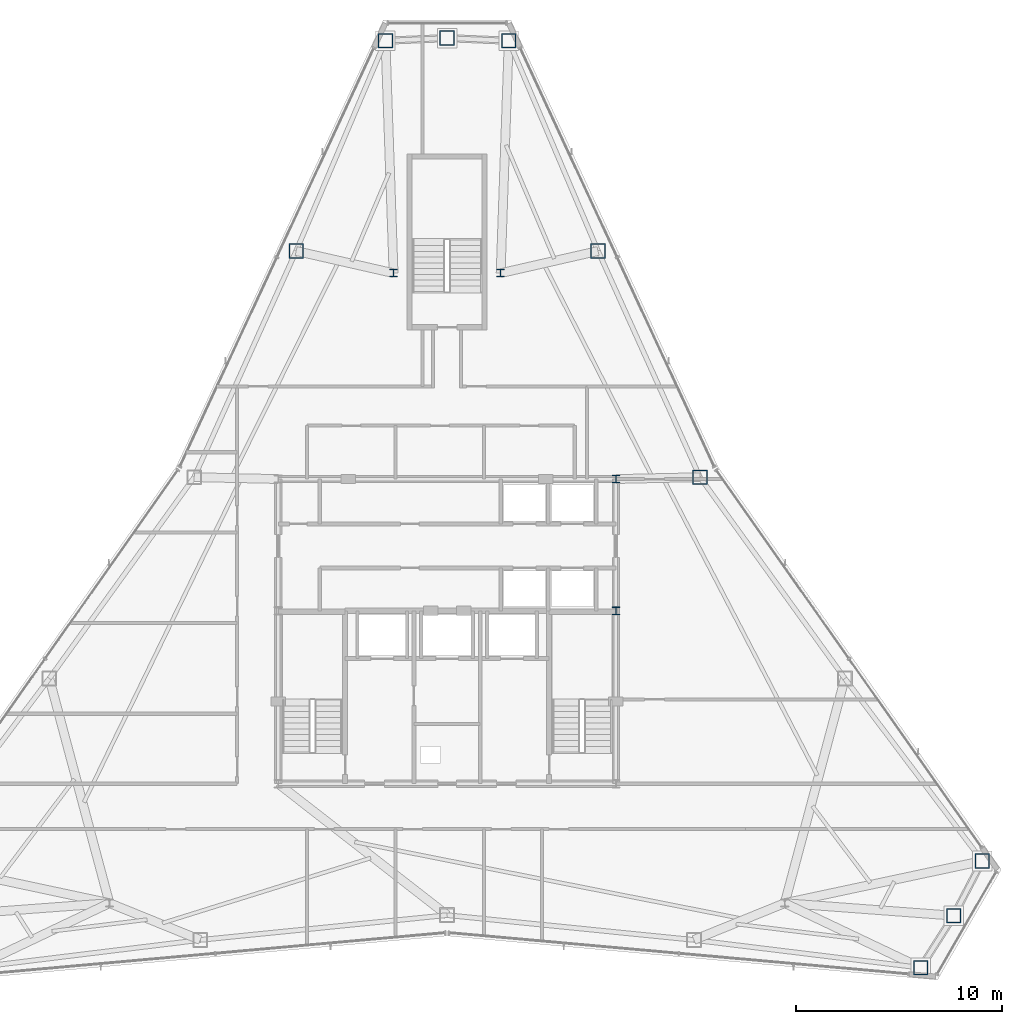
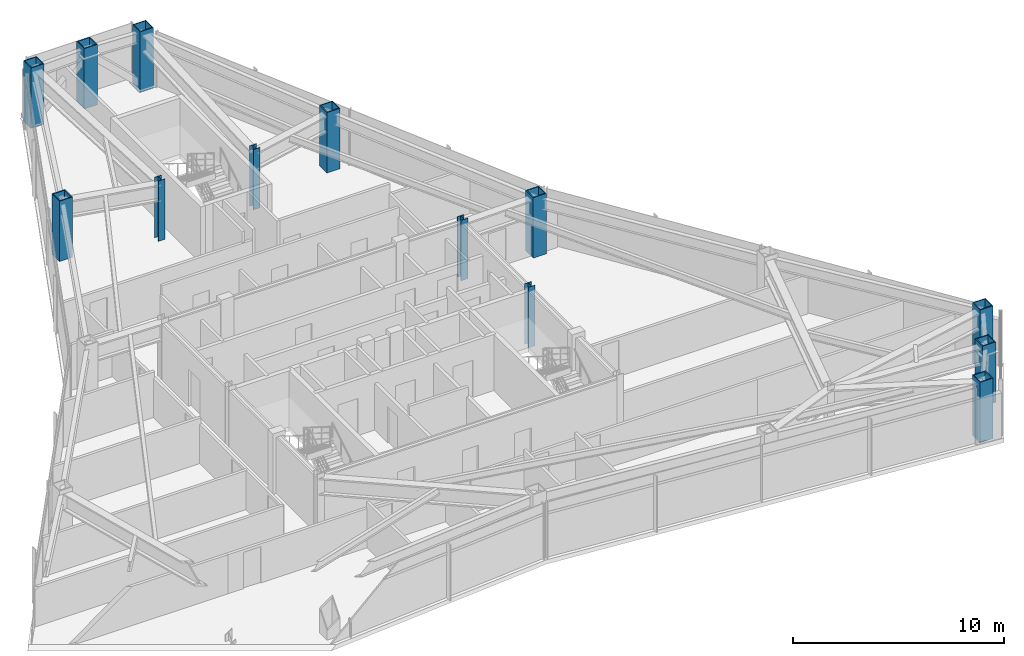
# One storey, part 2 of 12: 13 columns.
"""IFC4 building model written with IfcOpenShell, lengths in metres."""

import ifcopenshell
import ifcopenshell.guid

model = None  # the IFC model being written
_history = None  # IfcOwnerHistory: only IFC2X3 demands one
_inside = {}  # id of a spatial element -> (the spatial element, [elements in it])
_under = {}  # id of a project, library or spatial element -> (it, [spatial elements below it])
_declared = {}  # id of a project -> (the project, [libraries it declares])
_typed = {}  # id of a type object -> (the type object, [elements of that type])
_made_of = {}  # id of a material, layer set ... -> (it, [elements and type objects made of it])


def new_model(schema):
    """Start an empty IFC model of exactly this schema.

    Asked for "IFC4X3", IfcOpenShell would pick the latest addendum, in which some entities
    have other attributes; the version numbers below select the first issue.
    IFC2X3 requires an IfcOwnerHistory on every rooted entity: one is made here for all.
    """
    global model, _history
    if schema == "IFC4X3":
        model = ifcopenshell.file(schema_version=(4, 3, 0, 0))
    else:
        model = ifcopenshell.file(schema=schema)
    _inside.clear()
    _under.clear()
    _declared.clear()
    _typed.clear()
    _made_of.clear()
    _history = None
    if model.schema == "IFC2X3":
        org = make("IfcOrganization", Name="unknown")
        user = make(
            "IfcPersonAndOrganization",
            ThePerson=make("IfcPerson", FamilyName="unknown"),
            TheOrganization=org,
        )
        app = make(
            "IfcApplication",
            ApplicationDeveloper=org,
            Version="unknown",
            ApplicationFullName="unknown",
            ApplicationIdentifier="unknown",
        )
        _history = make(
            "IfcOwnerHistory",
            OwningUser=user,
            OwningApplication=app,
            ChangeAction="ADDED",
            CreationDate=0,
        )
    return model


def make(cls, **values):
    """One entity of the class cls with the attributes given. An attribute that is None is left unset."""
    return model.create_entity(
        cls, **{name: value for name, value in values.items() if value is not None}
    )


def rooted(cls, **values):
    """An entity with a GlobalId (a new one), such as an element, a storey or a relation."""
    return make(cls, GlobalId=ifcopenshell.guid.new(), OwnerHistory=_history, **values)


def si_unit(unit_type, name, prefix=None):
    """IfcSIUnit, for example si_unit("LENGTHUNIT", "METRE", prefix="MILLI")."""
    return make("IfcSIUnit", UnitType=unit_type, Prefix=prefix, Name=name)


def assignment(units):
    """IfcUnitAssignment: the units of a project."""
    return None if units is None else make("IfcUnitAssignment", Units=units)


def point(xyz):
    """IfcCartesianPoint."""
    return None if xyz is None else make("IfcCartesianPoint", Coordinates=xyz)


def direction(xyz):
    """IfcDirection."""
    return None if xyz is None else make("IfcDirection", DirectionRatios=xyz)


def frame(location, z_axis=None, x_axis=None):
    """IfcAxis2Placement3D, a coordinate frame: its origin and axes. An axis left out is left unset."""
    return make(
        "IfcAxis2Placement3D",
        Location=point(location),
        Axis=direction(z_axis),
        RefDirection=direction(x_axis),
    )


def frame_2d(location, x_axis=None):
    """IfcAxis2Placement2D, a coordinate frame in the plane: its origin and x axis."""
    return make(
        "IfcAxis2Placement2D", Location=point(location), RefDirection=direction(x_axis)
    )


def origin():
    """The frame at (0, 0, 0) with its axes left unset."""
    return frame((0.0, 0.0, 0.0))


def origin_2d():
    """The frame at (0, 0) in the plane with its x axis left unset."""
    return frame_2d((0.0, 0.0))


def place(relative_to, where):
    """IfcLocalPlacement: puts the frame where relative to a parent placement (None: the world)."""
    return make(
        "IfcLocalPlacement", PlacementRelTo=relative_to, RelativePlacement=where
    )


def context(
    kind, dimensions, precision=None, world=None, true_north=None, identifier=None
):
    """IfcGeometricRepresentationContext, for example the 3D "Model" context."""
    return make(
        "IfcGeometricRepresentationContext",
        ContextIdentifier=identifier,
        ContextType=kind,
        CoordinateSpaceDimension=dimensions,
        Precision=precision,
        WorldCoordinateSystem=world,
        TrueNorth=true_north,
    )


def subcontext(parent, identifier, kind, view, scale=None):
    """IfcGeometricRepresentationSubContext, for example "Body" below "Model"."""
    return make(
        "IfcGeometricRepresentationSubContext",
        ContextIdentifier=identifier,
        ContextType=kind,
        ParentContext=parent,
        TargetScale=scale,
        TargetView=view,
    )


def project(units=None, contexts=None):
    """IfcProject with its units and contexts."""
    return rooted(
        "IfcProject",
        Name="project",
        RepresentationContexts=contexts,
        UnitsInContext=assignment(units),
    )


def spatial(cls, under=None, at=None, **own):
    """A site, building, storey or space (cls), placed at a placement, below another one or the project."""
    s = rooted(cls, ObjectPlacement=at, **own)
    if under is not None:
        _under.setdefault(under.id(), (under, []))[1].append(s)
    return s


def profile(cls, at=None, kind="AREA", **sizes):
    """A parametric profile (cls). Its sizes go by their IFC names, for example OverallWidth=200.0."""
    return make(cls, ProfileType=kind, Position=at, **sizes)


def hollow_rectangle(**sizes):
    """IfcRectangleHollowProfileDef."""
    return profile("IfcRectangleHollowProfileDef", **sizes)


def i_section(**sizes):
    """IfcIShapeProfileDef."""
    return profile("IfcIShapeProfileDef", **sizes)


def extrude(swept, where, along, depth):
    """IfcExtrudedAreaSolid: the profile swept, set in the frame where, extruded along a direction by depth."""
    return make(
        "IfcExtrudedAreaSolid",
        SweptArea=swept,
        Position=where,
        ExtrudedDirection=direction(along),
        Depth=depth,
    )


def shape(context_of_items, identifier, shape_type, items):
    """IfcShapeRepresentation: the items that make up one representation, for example the "Body"."""
    return make(
        "IfcShapeRepresentation",
        ContextOfItems=context_of_items,
        RepresentationIdentifier=identifier,
        RepresentationType=shape_type,
        Items=items,
    )


def material(Name=None, Category=None):
    """IfcMaterial."""
    return make("IfcMaterial", Name=Name, Category=Category)


def material_profile(
    of_material, cross_section, Name=None, Category=None, Priority=None
):
    """IfcMaterialProfile: a cross section and its material."""
    return make(
        "IfcMaterialProfile",
        Name=Name,
        Material=of_material,
        Profile=cross_section,
        Priority=Priority,
        Category=Category,
    )


def profile_set(profiles, Name=None, composite=None):
    """IfcMaterialProfileSet."""
    return make(
        "IfcMaterialProfileSet",
        Name=Name,
        MaterialProfiles=profiles,
        CompositeProfile=composite,
    )


def made_of(thing, what):
    """Note that an element or type object is made of a material, layer set ...; save() writes the relation."""
    if what is not None:
        _made_of.setdefault(what.id(), (what, []))[1].append(thing)
    return thing


def type_object(cls, material=None, **own):
    """A type object (cls), such as IfcWallType, which elements share."""
    return made_of(rooted(cls, **own), material)


def element(
    cls,
    number,
    at=None,
    inside=None,
    cuts=None,
    type_object=None,
    material=None,
    context=None,
    identifier="Body",
    shape_type=None,
    held_by="IfcProductDefinitionShape",
    body=None,
    shapes=None,
    **own,
):
    """One element of the class cls, such as IfcWall. Its Tag is "e" and its number.

    at: its placement. inside: the storey or other place that contains it. cuts: it is an
    opening in that element (IfcRelVoidsElement). A single representation is given by context,
    identifier, shape_type and body (its items); several are given by shapes. held_by: the class
    of the entity that holds the representations. save() writes the other relations.
    """
    e = rooted(cls, Tag="e%d" % number, ObjectPlacement=at, **own)
    if body is not None:
        shapes = [shape(context, identifier, shape_type, body)]
    if shapes is not None:
        e.Representation = make(held_by, Representations=shapes)
    if inside is not None:
        _inside.setdefault(inside.id(), (inside, []))[1].append(e)
    if cuts is not None:
        rooted(
            "IfcRelVoidsElement", RelatingBuildingElement=cuts, RelatedOpeningElement=e
        )
    if type_object is not None:
        _typed.setdefault(type_object.id(), (type_object, []))[1].append(e)
    return made_of(e, material)


def aggregate(whole, parts):
    """IfcRelAggregates: a whole, such as a stair, and the parts it consists of."""
    return rooted("IfcRelAggregates", RelatingObject=whole, RelatedObjects=parts)


def save(model, path):
    """Write the relations noted so far, then the file.

    IfcRelAggregates (storeys below a building ...), IfcRelContainedInSpatialStructure (elements
    in a storey), IfcRelDefinesByType, IfcRelAssociatesMaterial and IfcRelDeclares: one each for
    every whole, place, type object, material and project.
    """
    for whole, parts in _under.values():
        aggregate(whole, parts)
    for where, things in _inside.values():
        rooted(
            "IfcRelContainedInSpatialStructure",
            RelatedElements=things,
            RelatingStructure=where,
        )
    for kind, things in _typed.values():
        rooted("IfcRelDefinesByType", RelatedObjects=things, RelatingType=kind)
    for what, things in _made_of.values():
        rooted("IfcRelAssociatesMaterial", RelatedObjects=things, RelatingMaterial=what)
    for by, libraries in _declared.values():
        rooted("IfcRelDeclares", RelatingContext=by, RelatedDefinitions=libraries)
    model.write(path)


model = new_model("IFC4")

# Units and contexts
model_context = context("Model", 3, precision=1e-05, world=origin(), true_north=direction((0.0, 1.0)))
body_context = subcontext(model_context, "Body", "Model", "MODEL_VIEW")
ifc_project = project(units=[si_unit("LENGTHUNIT", "METRE"), si_unit("AREAUNIT", "SQUARE_METRE"), si_unit("VOLUMEUNIT", "CUBIC_METRE"), si_unit("PLANEANGLEUNIT", "RADIAN"), si_unit("MASSUNIT", "GRAM", prefix="KILO")], contexts=[model_context])

# Site, building, storey
site_placement = place(None, origin())
site = spatial("IfcSite", under=ifc_project, at=site_placement, CompositionType="ELEMENT")
building_placement = place(site_placement, origin())
building = spatial("IfcBuilding", under=site, at=building_placement, Name="Varakhsha Concourse Tower", CompositionType="ELEMENT")
storey_placement = place(building_placement, frame((0.0, 0.0, 239.89990234375)))
storey = spatial("IfcBuildingStorey", under=building, at=storey_placement, Name="L68", CompositionType="ELEMENT", Elevation=239.89990234375)

# Columns
ifc_material_1 = material(Name="Structural Steel ASTM A992 Grade 50", Category="steel")
ifc_material_profile_1 = material_profile(ifc_material_1, i_section(OverallWidth=0.3740234375, OverallDepth=0.3720703125, WebThickness=0.01611328125, FlangeThickness=0.02587890625, at=origin_2d()), Name="W14X132")
ifc_profile_set_1 = profile_set([ifc_material_profile_1], Name="Structural Steel ASTM A992 Grade 50")
column_type_1 = type_object("IfcColumnType", Name="CL-CORE-W14X132", PredefinedType="COLUMN", material=ifc_profile_set_1)
for number, where, z_axis, x_axis, name in (
    (1, (48.199951171875, 24.800048828125, 0.0), (0.0, 0.0, 1.0), (1.0, 0.0, 0.0), "L68 Core Column CC-ME"),
    (2, (48.199951171875, 31.199951171875, 0.0), (0.0, 0.0, 1.0), (1.0, 0.0, 0.0), "L68 Core Column CC-NE"),
    (3, (37.39990234375, 41.199951171875, 0.0), (0.0, 0.0, 1.0), (1.0, 0.0, 0.0), "L68 Core Column NS-W"),
    (4, (42.60009765625, 41.199951171875, 0.0), (0.0, 0.0, 1.0), (1.0, 0.0, 0.0), "L68 Core Column NS-E"),
):
    element("IfcColumn", number, at=place(storey_placement, frame(where, z_axis=z_axis, x_axis=x_axis)), inside=storey, type_object=column_type_1, Name=name, PredefinedType="COLUMN", context=body_context, shape_type="SweptSolid", body=[
        extrude(i_section(OverallWidth=0.3740234375, OverallDepth=0.3720703125, WebThickness=0.01611328125, FlangeThickness=0.02587890625, at=origin_2d()), origin(), (0.0, 0.0, 1.0), 3.5),
    ])
ifc_material_2 = material(Name="Structural Steel ASTM A572 Grade 50", Category="steel")
ifc_material_profile_2 = material_profile(ifc_material_2, hollow_rectangle(XDim=0.719970703125, YDim=0.719970703125, WallThickness=0.050048828125, at=origin_2d()), Name="BOX 720x720x50")
ifc_profile_set_2 = profile_set([ifc_material_profile_2], Name="Structural Steel ASTM A572 Grade 50")
column_type_2 = type_object("IfcColumnType", Name="CL-TUBE-720", PredefinedType="COLUMN", material=ifc_profile_set_2)
for number, where, z_axis, x_axis, name in (
    (5, (42.993408203125, 52.490966796875, 0.0), (0.0, 0.0, 1.0), (1.0, 0.0, 0.0), "L68 Framed-Tube Column TC01"),
    (6, (40.0, 52.6171875, 0.0), (0.0, 0.0, 1.0), (1.0, 0.0, 0.0), "L68 Framed-Tube Column TC02"),
    (7, (37.006591796875, 52.490966796875, 0.0), (0.0, 0.0, 1.0), (1.0, 0.0, 0.0), "L68 Framed-Tube Column TC03"),
    (8, (32.6689453125, 42.277099609375, 0.0), (0.0, 0.0, 1.0), (1.0, 0.0, 0.0), "L68 Framed-Tube Column TC04"),
    (9, (63.00390625, 7.4619140625, 0.0), (0.0, 0.0, 1.0), (1.0, 0.0, 0.0), "L68 Framed-Tube Column TC13"),
    (10, (64.610107421875, 9.9912109375, 0.0), (0.0, 0.0, 1.0), (1.0, 0.0, 0.0), "L68 Framed-Tube Column TC14"),
    (11, (65.997314453125, 12.64697265625, 0.0), (0.0, 0.0, 1.0), (1.0, 0.0, 0.0), "L68 Framed-Tube Column TC15"),
    (12, (52.2822265625, 31.291259765625, 0.0), (0.0, 0.0, 1.0), (1.0, 0.0, 0.0), "L68 Framed-Tube Column TC17"),
    (13, (47.3310546875, 42.277099609375, 0.0), (0.0, 0.0, 1.0), (1.0, 0.0, 0.0), "L68 Framed-Tube Column TC18"),
):
    element("IfcColumn", number, at=place(storey_placement, frame(where, z_axis=z_axis, x_axis=x_axis)), inside=storey, type_object=column_type_2, Name=name, PredefinedType="COLUMN", context=body_context, shape_type="SweptSolid", body=[
        extrude(hollow_rectangle(XDim=0.719970703125, YDim=0.719970703125, WallThickness=0.050048828125, at=origin_2d()), origin(), (0.0, 0.0, 1.0), 3.5),
    ])

save(model, "model.ifc")
